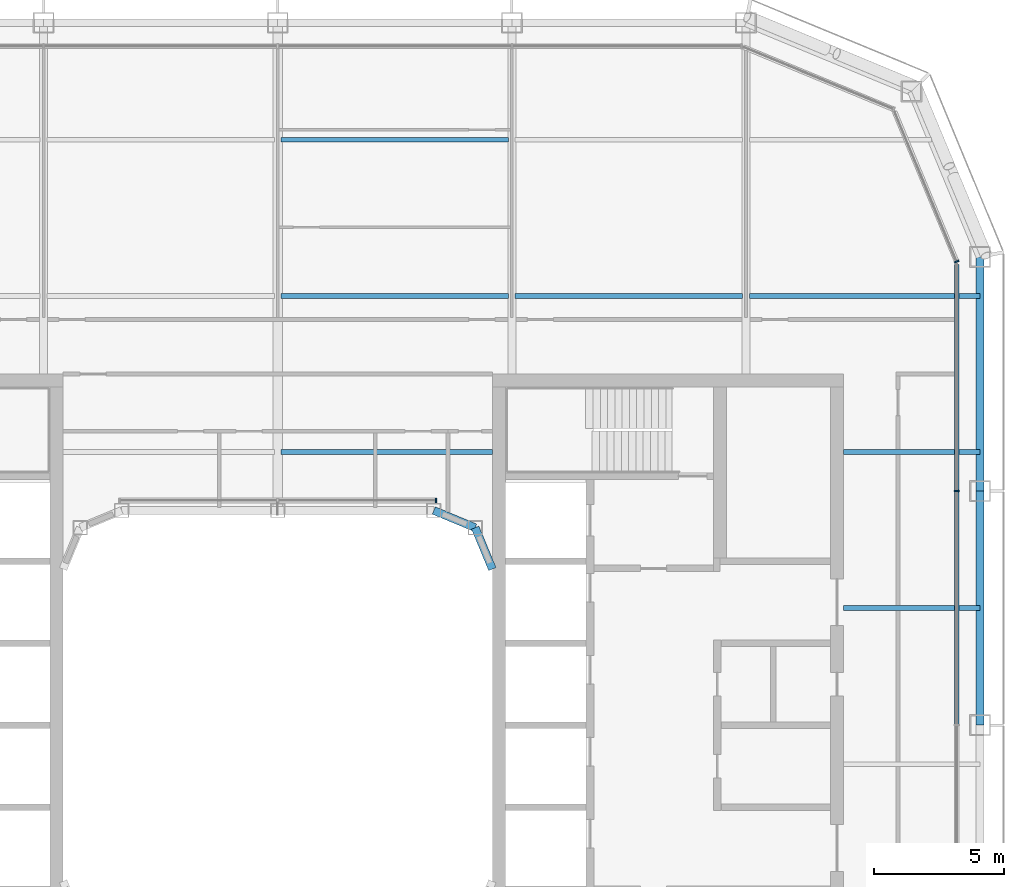
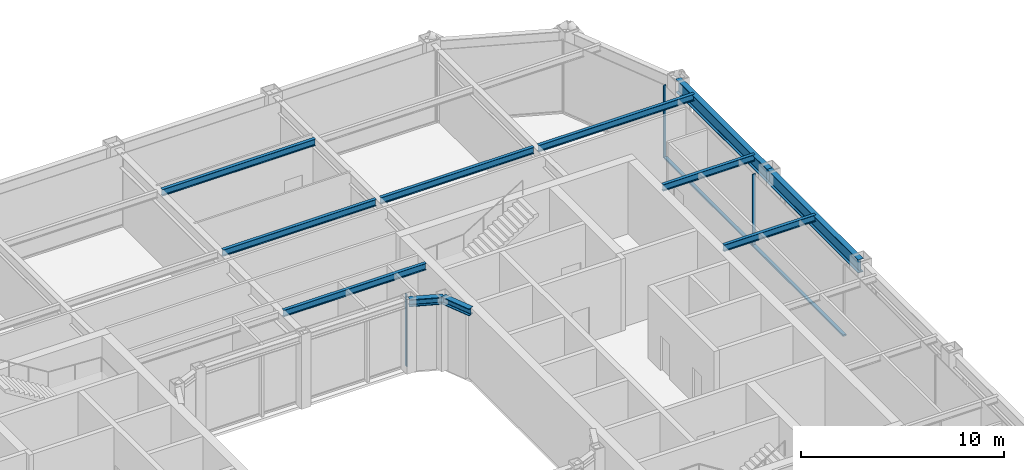
# One storey, part 9 of 23: 11 beams, 5 members, 3 elements without a shape of their own.
"""IFC4 building model written with IfcOpenShell, lengths in metres."""

import ifcopenshell
import ifcopenshell.guid

model = None  # the IFC model being written
_history = None  # IfcOwnerHistory: only IFC2X3 demands one
_inside = {}  # id of a spatial element -> (the spatial element, [elements in it])
_under = {}  # id of a project, library or spatial element -> (it, [spatial elements below it])
_declared = {}  # id of a project -> (the project, [libraries it declares])
_typed = {}  # id of a type object -> (the type object, [elements of that type])
_made_of = {}  # id of a material, layer set ... -> (it, [elements and type objects made of it])


def new_model(schema):
    """Start an empty IFC model of exactly this schema.

    Asked for "IFC4X3", IfcOpenShell would pick the latest addendum, in which some entities
    have other attributes; the version numbers below select the first issue.
    IFC2X3 requires an IfcOwnerHistory on every rooted entity: one is made here for all.
    """
    global model, _history
    if schema == "IFC4X3":
        model = ifcopenshell.file(schema_version=(4, 3, 0, 0))
    else:
        model = ifcopenshell.file(schema=schema)
    _inside.clear()
    _under.clear()
    _declared.clear()
    _typed.clear()
    _made_of.clear()
    _history = None
    if model.schema == "IFC2X3":
        org = make("IfcOrganization", Name="unknown")
        user = make(
            "IfcPersonAndOrganization",
            ThePerson=make("IfcPerson", FamilyName="unknown"),
            TheOrganization=org,
        )
        app = make(
            "IfcApplication",
            ApplicationDeveloper=org,
            Version="unknown",
            ApplicationFullName="unknown",
            ApplicationIdentifier="unknown",
        )
        _history = make(
            "IfcOwnerHistory",
            OwningUser=user,
            OwningApplication=app,
            ChangeAction="ADDED",
            CreationDate=0,
        )
    return model


def make(cls, **values):
    """One entity of the class cls with the attributes given. An attribute that is None is left unset."""
    return model.create_entity(
        cls, **{name: value for name, value in values.items() if value is not None}
    )


def rooted(cls, **values):
    """An entity with a GlobalId (a new one), such as an element, a storey or a relation."""
    return make(cls, GlobalId=ifcopenshell.guid.new(), OwnerHistory=_history, **values)


def si_unit(unit_type, name, prefix=None):
    """IfcSIUnit, for example si_unit("LENGTHUNIT", "METRE", prefix="MILLI")."""
    return make("IfcSIUnit", UnitType=unit_type, Prefix=prefix, Name=name)


def assignment(units):
    """IfcUnitAssignment: the units of a project."""
    return None if units is None else make("IfcUnitAssignment", Units=units)


def point(xyz):
    """IfcCartesianPoint."""
    return None if xyz is None else make("IfcCartesianPoint", Coordinates=xyz)


def direction(xyz):
    """IfcDirection."""
    return None if xyz is None else make("IfcDirection", DirectionRatios=xyz)


def frame(location, z_axis=None, x_axis=None):
    """IfcAxis2Placement3D, a coordinate frame: its origin and axes. An axis left out is left unset."""
    return make(
        "IfcAxis2Placement3D",
        Location=point(location),
        Axis=direction(z_axis),
        RefDirection=direction(x_axis),
    )


def frame_2d(location, x_axis=None):
    """IfcAxis2Placement2D, a coordinate frame in the plane: its origin and x axis."""
    return make(
        "IfcAxis2Placement2D", Location=point(location), RefDirection=direction(x_axis)
    )


def origin():
    """The frame at (0, 0, 0) with its axes left unset."""
    return frame((0.0, 0.0, 0.0))


def origin_2d():
    """The frame at (0, 0) in the plane with its x axis left unset."""
    return frame_2d((0.0, 0.0))


def place(relative_to, where):
    """IfcLocalPlacement: puts the frame where relative to a parent placement (None: the world)."""
    return make(
        "IfcLocalPlacement", PlacementRelTo=relative_to, RelativePlacement=where
    )


def context(
    kind, dimensions, precision=None, world=None, true_north=None, identifier=None
):
    """IfcGeometricRepresentationContext, for example the 3D "Model" context."""
    return make(
        "IfcGeometricRepresentationContext",
        ContextIdentifier=identifier,
        ContextType=kind,
        CoordinateSpaceDimension=dimensions,
        Precision=precision,
        WorldCoordinateSystem=world,
        TrueNorth=true_north,
    )


def subcontext(parent, identifier, kind, view, scale=None):
    """IfcGeometricRepresentationSubContext, for example "Body" below "Model"."""
    return make(
        "IfcGeometricRepresentationSubContext",
        ContextIdentifier=identifier,
        ContextType=kind,
        ParentContext=parent,
        TargetScale=scale,
        TargetView=view,
    )


def project(units=None, contexts=None):
    """IfcProject with its units and contexts."""
    return rooted(
        "IfcProject",
        Name="project",
        RepresentationContexts=contexts,
        UnitsInContext=assignment(units),
    )


def spatial(cls, under=None, at=None, **own):
    """A site, building, storey or space (cls), placed at a placement, below another one or the project."""
    s = rooted(cls, ObjectPlacement=at, **own)
    if under is not None:
        _under.setdefault(under.id(), (under, []))[1].append(s)
    return s


def profile(cls, at=None, kind="AREA", **sizes):
    """A parametric profile (cls). Its sizes go by their IFC names, for example OverallWidth=200.0."""
    return make(cls, ProfileType=kind, Position=at, **sizes)


def rectangle(**sizes):
    """IfcRectangleProfileDef."""
    return profile("IfcRectangleProfileDef", **sizes)


def i_section(**sizes):
    """IfcIShapeProfileDef."""
    return profile("IfcIShapeProfileDef", **sizes)


def extrude(swept, where, along, depth):
    """IfcExtrudedAreaSolid: the profile swept, set in the frame where, extruded along a direction by depth."""
    return make(
        "IfcExtrudedAreaSolid",
        SweptArea=swept,
        Position=where,
        ExtrudedDirection=direction(along),
        Depth=depth,
    )


def shape(context_of_items, identifier, shape_type, items):
    """IfcShapeRepresentation: the items that make up one representation, for example the "Body"."""
    return make(
        "IfcShapeRepresentation",
        ContextOfItems=context_of_items,
        RepresentationIdentifier=identifier,
        RepresentationType=shape_type,
        Items=items,
    )


def material(Name=None, Category=None):
    """IfcMaterial."""
    return make("IfcMaterial", Name=Name, Category=Category)


def layer(
    of_material, thickness, ventilated=None, Name=None, Category=None, Priority=None
):
    """IfcMaterialLayer: one layer of a wall or slab, of a material (None: an air gap)."""
    return make(
        "IfcMaterialLayer",
        Material=of_material,
        LayerThickness=thickness,
        IsVentilated=ventilated,
        Name=Name,
        Category=Category,
        Priority=Priority,
    )


def layer_set(layers, Name=None):
    """IfcMaterialLayerSet."""
    return make("IfcMaterialLayerSet", MaterialLayers=layers, LayerSetName=Name)


def material_profile(
    of_material, cross_section, Name=None, Category=None, Priority=None
):
    """IfcMaterialProfile: a cross section and its material."""
    return make(
        "IfcMaterialProfile",
        Name=Name,
        Material=of_material,
        Profile=cross_section,
        Priority=Priority,
        Category=Category,
    )


def profile_set(profiles, Name=None, composite=None):
    """IfcMaterialProfileSet."""
    return make(
        "IfcMaterialProfileSet",
        Name=Name,
        MaterialProfiles=profiles,
        CompositeProfile=composite,
    )


def made_of(thing, what):
    """Note that an element or type object is made of a material, layer set ...; save() writes the relation."""
    if what is not None:
        _made_of.setdefault(what.id(), (what, []))[1].append(thing)
    return thing


def type_object(cls, material=None, **own):
    """A type object (cls), such as IfcWallType, which elements share."""
    return made_of(rooted(cls, **own), material)


def element(
    cls,
    number,
    at=None,
    inside=None,
    cuts=None,
    type_object=None,
    material=None,
    context=None,
    identifier="Body",
    shape_type=None,
    held_by="IfcProductDefinitionShape",
    body=None,
    shapes=None,
    **own,
):
    """One element of the class cls, such as IfcWall. Its Tag is "e" and its number.

    at: its placement. inside: the storey or other place that contains it. cuts: it is an
    opening in that element (IfcRelVoidsElement). A single representation is given by context,
    identifier, shape_type and body (its items); several are given by shapes. held_by: the class
    of the entity that holds the representations. save() writes the other relations.
    """
    e = rooted(cls, Tag="e%d" % number, ObjectPlacement=at, **own)
    if body is not None:
        shapes = [shape(context, identifier, shape_type, body)]
    if shapes is not None:
        e.Representation = make(held_by, Representations=shapes)
    if inside is not None:
        _inside.setdefault(inside.id(), (inside, []))[1].append(e)
    if cuts is not None:
        rooted(
            "IfcRelVoidsElement", RelatingBuildingElement=cuts, RelatedOpeningElement=e
        )
    if type_object is not None:
        _typed.setdefault(type_object.id(), (type_object, []))[1].append(e)
    return made_of(e, material)


def aggregate(whole, parts):
    """IfcRelAggregates: a whole, such as a stair, and the parts it consists of."""
    return rooted("IfcRelAggregates", RelatingObject=whole, RelatedObjects=parts)


def save(model, path):
    """Write the relations noted so far, then the file.

    IfcRelAggregates (storeys below a building ...), IfcRelContainedInSpatialStructure (elements
    in a storey), IfcRelDefinesByType, IfcRelAssociatesMaterial and IfcRelDeclares: one each for
    every whole, place, type object, material and project.
    """
    for whole, parts in _under.values():
        aggregate(whole, parts)
    for where, things in _inside.values():
        rooted(
            "IfcRelContainedInSpatialStructure",
            RelatedElements=things,
            RelatingStructure=where,
        )
    for kind, things in _typed.values():
        rooted("IfcRelDefinesByType", RelatedObjects=things, RelatingType=kind)
    for what, things in _made_of.values():
        rooted("IfcRelAssociatesMaterial", RelatedObjects=things, RelatingMaterial=what)
    for by, libraries in _declared.values():
        rooted("IfcRelDeclares", RelatingContext=by, RelatedDefinitions=libraries)
    model.write(path)


model = new_model("IFC4")

# Units and contexts
model_context = context("Model", 3, precision=1e-05, world=origin(), true_north=direction((0.0, 1.0)))
body_context = subcontext(model_context, "Body", "Model", "MODEL_VIEW")
ifc_project = project(units=[si_unit("LENGTHUNIT", "METRE"), si_unit("AREAUNIT", "SQUARE_METRE"), si_unit("VOLUMEUNIT", "CUBIC_METRE"), si_unit("PLANEANGLEUNIT", "RADIAN"), si_unit("MASSUNIT", "GRAM", prefix="KILO")], contexts=[model_context])

# Site, building, storey
site_placement = place(None, origin())
site = spatial("IfcSite", under=ifc_project, at=site_placement, CompositionType="ELEMENT")
building_placement = place(site_placement, origin())
building = spatial("IfcBuilding", under=site, at=building_placement, Name="Siwar Civic Tower", CompositionType="ELEMENT")
storey_placement = place(building_placement, frame((0.0, 0.0, 269.199951171875)))
storey = spatial("IfcBuildingStorey", under=building, at=storey_placement, Name="L58", CompositionType="ELEMENT", Elevation=269.199951171875)

# Curtain wall, member
ifc_material_1 = material(Name="Aluminium and glass", Category="aluminium")
ifc_layer_1 = layer(ifc_material_1, 0.179931640625)
ifc_layer_set_1 = layer_set([ifc_layer_1], Name="Aluminium and glass")
curtain_wall_type_1 = type_object("IfcCurtainWallType", Name="ENV-CW-C", PredefinedType="NOTDEFINED", material=ifc_layer_set_1)
curtain_wall_1_placement = place(storey_placement, origin())
curtain_wall_1 = element("IfcCurtainWall", 1, at=curtain_wall_1_placement, inside=storey, type_object=curtain_wall_type_1, Name="Curtain wall C E", PredefinedType="NOTDEFINED")
ifc_material_2 = material(Name="Aluminium 6063-T6", Category="aluminium")
ifc_material_profile_1 = material_profile(ifc_material_2, rectangle(XDim=0.179931640625, YDim=0.06005859375, at=origin_2d()), Name="AL 180x60")
ifc_profile_set_1 = profile_set([ifc_material_profile_1], Name="Aluminium 6063-T6")
member_type_1 = type_object("IfcMemberType", Name="ENV-MULLION-C", PredefinedType="MULLION", material=ifc_profile_set_1)
member_1_placement = place(storey_placement, frame((26.10009765625, 9.0, 0.0), z_axis=(0.0, 0.0, 1.0), x_axis=(-1.0, 0.0, 0.0)))
member_1 = element("IfcMember", 2, at=member_1_placement, type_object=member_type_1, Name="Mullion C E 4", PredefinedType="MULLION", context=body_context, shape_type="SweptSolid", body=[
    extrude(rectangle(XDim=0.179931640625, YDim=0.06005859375, at=origin_2d()), origin(), (0.0, 0.0, 1.0), 4.35009765625),
])

ifc_material_3 = material(Name="Aluminium clad insulated panel", Category="aluminium")
ifc_layer_2 = layer(ifc_material_3, 0.179931640625)
ifc_layer_set_2 = layer_set([ifc_layer_2], Name="Aluminium clad insulated panel")
curtain_wall_type_2 = type_object("IfcCurtainWallType", Name="ENV-CW-CX", PredefinedType="NOTDEFINED", material=ifc_layer_set_2)
curtain_wall_2_placement = place(storey_placement, origin())
curtain_wall_2 = element("IfcCurtainWall", 3, at=curtain_wall_2_placement, inside=storey, type_object=curtain_wall_type_2, Name="Curtain wall C NE1", PredefinedType="NOTDEFINED")
member_2_placement = place(storey_placement, frame((26.10009765625, 17.821044921875, 0.0), z_axis=(0.0, 0.0, 1.0), x_axis=(-0.923879532511, -0.382683432365, 0.0)))
member_2 = element("IfcMember", 4, at=member_2_placement, type_object=member_type_1, Name="Mullion C NE1 1", PredefinedType="MULLION", context=body_context, shape_type="SweptSolid", body=[
    extrude(rectangle(XDim=0.179931640625, YDim=0.06005859375, at=origin_2d()), origin(), (0.0, 0.0, 1.0), 4.35009765625),
])
aggregate(curtain_wall_2, [member_2])

ifc_material_4 = material(Name="Aluminium and glass", Category="aluminium")
ifc_layer_3 = layer(ifc_material_4, 0.179931640625)
ifc_layer_set_3 = layer_set([ifc_layer_3], Name="Aluminium and glass")
curtain_wall_type_3 = type_object("IfcCurtainWallType", Name="ENV-CW-W", PredefinedType="NOTDEFINED", material=ifc_layer_set_3)
curtain_wall_3_placement = place(storey_placement, origin())
curtain_wall_3 = element("IfcCurtainWall", 5, at=curtain_wall_3_placement, inside=storey, type_object=curtain_wall_type_3, Name="Curtain wall W WN", PredefinedType="NOTDEFINED")
ifc_material_5 = material(Name="Aluminium 6063-T6", Category="aluminium")
ifc_material_profile_2 = material_profile(ifc_material_5, rectangle(XDim=0.179931640625, YDim=0.06005859375, at=origin_2d()), Name="AL 180x60")
ifc_profile_set_2 = profile_set([ifc_material_profile_2], Name="Aluminium 6063-T6")
member_type_2 = type_object("IfcMemberType", Name="ENV-MULLION-W", PredefinedType="MULLION", material=ifc_profile_set_2)
member_3_placement = place(storey_placement, frame((6.07666015625, 8.635009765625, 0.0), z_axis=(0.0, 0.0, 1.0), x_axis=(0.0, -1.0, 0.0)))
member_3 = element("IfcMember", 6, at=member_3_placement, type_object=member_type_2, Name="Mullion W WN 1", PredefinedType="MULLION", context=body_context, shape_type="SweptSolid", body=[
    extrude(rectangle(XDim=0.179931640625, YDim=0.06005859375, at=origin_2d()), origin(), (0.0, 0.0, 1.0), 4.35009765625),
])
aggregate(curtain_wall_3, [member_3])

# Member
ifc_material_6 = material(Name="Aluminium 6063-T6", Category="aluminium")
ifc_material_profile_3 = material_profile(ifc_material_6, rectangle(XDim=0.179931640625, YDim=0.10009765625, at=origin_2d()), Name="AL 180x100")
ifc_profile_set_3 = profile_set([ifc_material_profile_3], Name="Aluminium 6063-T6")
member_type_3 = type_object("IfcMemberType", Name="ENV-TRANSOM-C", PredefinedType="USERDEFINED", material=ifc_profile_set_3)
member_4_placement = place(storey_placement, frame((26.10009765625, 0.030029296875, 0.050048828125), z_axis=(0.0, 1.0, 0.0), x_axis=(-1.0, 0.0, 0.0)))
member_4 = element("IfcMember", 7, at=member_4_placement, type_object=member_type_3, Name="Transom C E 3", ObjectType="TRANSOM", PredefinedType="USERDEFINED", context=body_context, shape_type="SweptSolid", body=[
    extrude(rectangle(XDim=0.179931640625, YDim=0.10009765625, at=origin_2d()), origin(), (0.0, 0.0, 1.0), 8.93994140625),
])

member_5_placement = place(storey_placement, frame((26.10009765625, 9.030029296875, 0.050048828125), z_axis=(0.0, 1.0, 0.0), x_axis=(-1.0, 0.0, 0.0)))
member_5 = element("IfcMember", 8, at=member_5_placement, type_object=member_type_3, Name="Transom C E 4", ObjectType="TRANSOM", PredefinedType="USERDEFINED", context=body_context, shape_type="SweptSolid", body=[
    extrude(rectangle(XDim=0.179931640625, YDim=0.10009765625, at=origin_2d()), origin(), (0.0, 0.0, 1.0), 8.68603515625),
])

aggregate(curtain_wall_1, [member_1, member_4, member_5])

# Beams
ifc_material_7 = material(Name="Steel S355", Category="steel")
ifc_material_profile_4 = material_profile(ifc_material_7, i_section(OverallWidth=0.179931640625, OverallDepth=0.39990234375, WebThickness=0.008544921875, FlangeThickness=0.013427734375, FilletRadius=0.02099609375, at=origin_2d()), Name="IPE400")
ifc_profile_set_4 = profile_set([ifc_material_profile_4], Name="Steel S355")
beam_type_1 = type_object("IfcBeamType", Name="STR-FB-IPE400", PredefinedType="JOIST", material=ifc_profile_set_4)
beam_1_placement = place(storey_placement, frame((21.75, 4.5, 4.150146484375), z_axis=(1.0, 0.0, 0.0), x_axis=(0.0, 1.0, 0.0)))
element("IfcBeam", 9, at=beam_1_placement, inside=storey, type_object=beam_type_1, Name="L58/bm/F026", PredefinedType="JOIST", context=body_context, shape_type="SweptSolid", body=[
    extrude(i_section(OverallWidth=0.179931640625, OverallDepth=0.39990234375, WebThickness=0.008544921875, FlangeThickness=0.013427734375, FilletRadius=0.02099609375, at=origin_2d()), origin(), (0.0, 0.0, 1.0), 5.25),
])
beam_2_placement = place(storey_placement, frame((0.1298828125, 10.5, 4.150146484375), z_axis=(1.0, 0.0, 0.0), x_axis=(0.0, 1.0, 0.0)))
element("IfcBeam", 10, at=beam_2_placement, inside=storey, type_object=beam_type_1, Name="L58/bm/F029", PredefinedType="JOIST", context=body_context, shape_type="SweptSolid", body=[
    extrude(i_section(OverallWidth=0.179931640625, OverallDepth=0.39990234375, WebThickness=0.008544921875, FlangeThickness=0.013427734375, FilletRadius=0.02099609375, at=origin_2d()), origin(), (0.0, 0.0, 1.0), 8.1201171875),
])
beam_3_placement = place(storey_placement, frame((21.75, 10.5, 4.150146484375), z_axis=(1.0, 0.0, 0.0), x_axis=(0.0, 1.0, 0.0)))
element("IfcBeam", 11, at=beam_3_placement, inside=storey, type_object=beam_type_1, Name="L58/bm/F030", PredefinedType="JOIST", context=body_context, shape_type="SweptSolid", body=[
    extrude(i_section(OverallWidth=0.179931640625, OverallDepth=0.39990234375, WebThickness=0.008544921875, FlangeThickness=0.013427734375, FilletRadius=0.02099609375, at=origin_2d()), origin(), (0.0, 0.0, 1.0), 5.25),
])
for number, where, z_axis, x_axis, name in (
    (12, (0.1298828125, 16.5, 4.150146484375), (1.0, 0.0, 0.0), (0.0, 1.0, 0.0), "L58/bm/F034"),
    (13, (9.1298828125, 16.5, 4.150146484375), (1.0, 0.0, 0.0), (0.0, 1.0, 0.0), "L58/bm/F035"),
):
    element("IfcBeam", number, at=place(storey_placement, frame(where, z_axis=z_axis, x_axis=x_axis)), inside=storey, type_object=beam_type_1, Name=name, PredefinedType="JOIST", context=body_context, shape_type="SweptSolid", body=[
        extrude(i_section(OverallWidth=0.179931640625, OverallDepth=0.39990234375, WebThickness=0.008544921875, FlangeThickness=0.013427734375, FilletRadius=0.02099609375, at=origin_2d()), origin(), (0.0, 0.0, 1.0), 8.740234375),
    ])
beam_4_placement = place(storey_placement, frame((18.1298828125, 16.5, 4.150146484375), z_axis=(1.0, 0.0, 0.0), x_axis=(0.0, 1.0, 0.0)))
element("IfcBeam", 14, at=beam_4_placement, inside=storey, type_object=beam_type_1, Name="L58/bm/F036", PredefinedType="JOIST", context=body_context, shape_type="SweptSolid", body=[
    extrude(i_section(OverallWidth=0.179931640625, OverallDepth=0.39990234375, WebThickness=0.008544921875, FlangeThickness=0.013427734375, FilletRadius=0.02099609375, at=origin_2d()), origin(), (0.0, 0.0, 1.0), 8.8701171875),
])
beam_5_placement = place(storey_placement, frame((0.1298828125, 22.5, 4.150146484375), z_axis=(1.0, 0.0, 0.0), x_axis=(0.0, 1.0, 0.0)))
element("IfcBeam", 15, at=beam_5_placement, inside=storey, type_object=beam_type_1, Name="L58/bm/F040", PredefinedType="JOIST", context=body_context, shape_type="SweptSolid", body=[
    extrude(i_section(OverallWidth=0.179931640625, OverallDepth=0.39990234375, WebThickness=0.008544921875, FlangeThickness=0.013427734375, FilletRadius=0.02099609375, at=origin_2d()), origin(), (0.0, 0.0, 1.0), 8.740234375),
])
ifc_material_8 = material(Name="Steel S355", Category="steel")
ifc_material_profile_5 = material_profile(ifc_material_8, i_section(OverallWidth=0.306884765625, OverallDepth=0.431884765625, WebThickness=0.02099609375, FlangeThickness=0.0400390625, FilletRadius=0.027099609375, at=origin_2d()), Name="HEM400")
ifc_profile_set_5 = profile_set([ifc_material_profile_5], Name="Steel S355")
beam_type_2 = type_object("IfcBeamType", Name="STR-RB-HEM400", PredefinedType="BEAM", material=ifc_profile_set_5)
for number, where, z_axis, x_axis, name in (
    (16, (6.0, 8.25, 4.134033203125), (0.923901072997, -0.382631424892, 0.0), (0.382631424892, 0.923901072997, 0.0), "L58/bm/RN3"),
    (17, (7.591064453125, 7.591064453125, 4.134033203125), (0.382631424892, -0.923901072997, 0.0), (0.923901072997, 0.382631424892, 0.0), "L58/bm/RNEE"),
):
    element("IfcBeam", number, at=place(storey_placement, frame(where, z_axis=z_axis, x_axis=x_axis)), inside=storey, type_object=beam_type_2, Name=name, PredefinedType="BEAM", context=body_context, shape_type="SweptSolid", body=[
        extrude(i_section(OverallWidth=0.306884765625, OverallDepth=0.431884765625, WebThickness=0.02099609375, FlangeThickness=0.0400390625, FilletRadius=0.027099609375, at=origin_2d()), origin(), (0.0, 0.0, 1.0), 1.72216796875),
    ])
ifc_material_9 = material(Name="Steel S355", Category="steel")
ifc_material_profile_6 = material_profile(ifc_material_9, i_section(OverallWidth=0.300048828125, OverallDepth=0.800048828125, WebThickness=0.017578125, FlangeThickness=0.032958984375, FilletRadius=0.030029296875, at=origin_2d()), Name="HEB800")
ifc_profile_set_6 = profile_set([ifc_material_profile_6], Name="Steel S355")
beam_type_3 = type_object("IfcBeamType", Name="STR-SB-HEB800", PredefinedType="BEAM", material=ifc_profile_set_6)
for number, where, z_axis, x_axis, name in (
    (18, (27.0, 0.0, 3.949951171875), (0.0, 1.0, 0.0), (-1.0, 0.0, 0.0), "L58/bm/SE-2"),
    (19, (27.0, 9.0, 3.949951171875), (0.0, 1.0, 0.0), (-1.0, 0.0, 0.0), "L58/bm/SE-3"),
):
    element("IfcBeam", number, at=place(storey_placement, frame(where, z_axis=z_axis, x_axis=x_axis)), inside=storey, type_object=beam_type_3, Name=name, PredefinedType="BEAM", context=body_context, shape_type="SweptSolid", body=[
        extrude(i_section(OverallWidth=0.300048828125, OverallDepth=0.800048828125, WebThickness=0.017578125, FlangeThickness=0.032958984375, FilletRadius=0.030029296875, at=origin_2d()), origin(), (0.0, 0.0, 1.0), 9.0),
    ])

save(model, "model.ifc")
